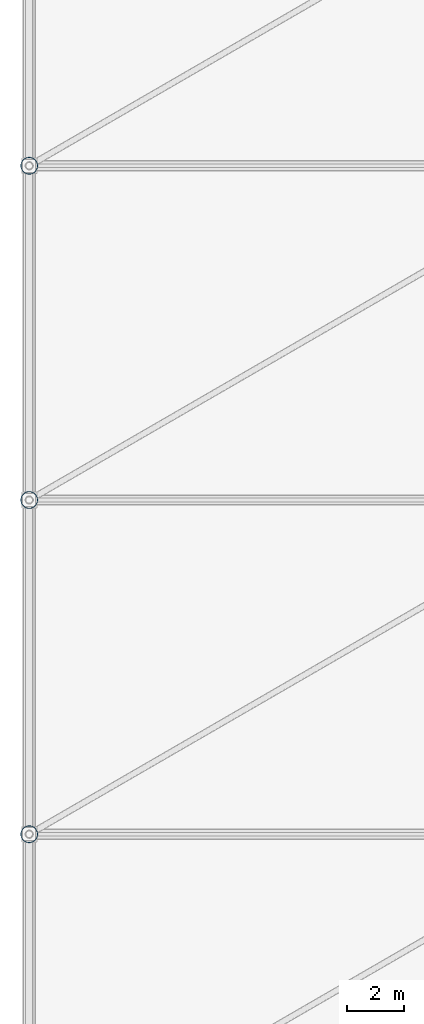
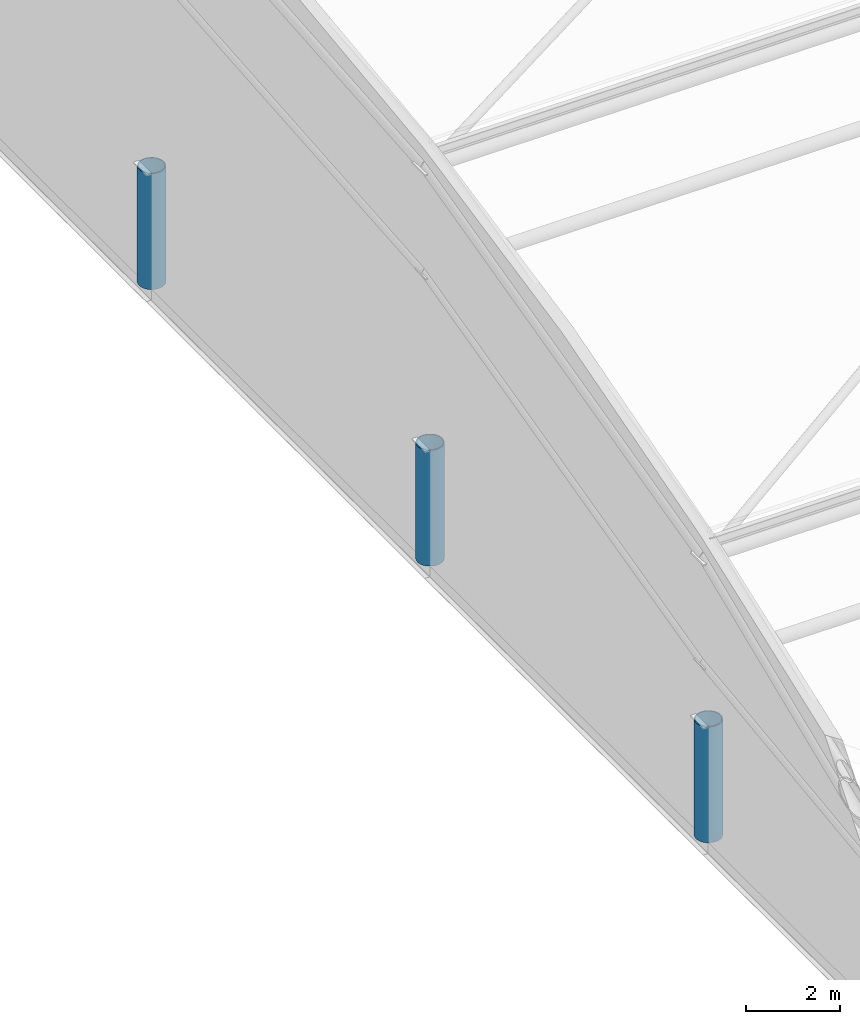
# One storey, part 3 of 135: 3 columns.
"""IFC4 building model written with IfcOpenShell, lengths in metres."""

from ifc_helpers import new_model, si_unit, direction, frame, origin, origin_2d, place, context, subcontext, project, spatial, hollow_circle, extrude, material, material_profile, profile_set, type_object, element, save


model = new_model("IFC4")

# Units and contexts
model_context = context("Model", 3, precision=1e-05, world=origin(), true_north=direction((0.0, 1.0)))
body_context = subcontext(model_context, "Body", "Model", "MODEL_VIEW")
ifc_project = project(units=[si_unit("LENGTHUNIT", "METRE"), si_unit("AREAUNIT", "SQUARE_METRE"), si_unit("VOLUMEUNIT", "CUBIC_METRE"), si_unit("PLANEANGLEUNIT", "RADIAN"), si_unit("MASSUNIT", "GRAM", prefix="KILO")], contexts=[model_context])

# Site, building, storey
site_placement = place(None, origin())
site = spatial("IfcSite", under=ifc_project, at=site_placement, CompositionType="ELEMENT")
building_placement = place(site_placement, origin())
building = spatial("IfcBuilding", under=site, at=building_placement, Name="Brelvane Convention Centre", CompositionType="ELEMENT")
storey_placement = place(building_placement, frame((0.0, 0.0, 15.0)))
storey = spatial("IfcBuildingStorey", under=building, at=storey_placement, Name="L03", CompositionType="ELEMENT", Elevation=15.0)

# Columns
ifc_material = material(Name="Steel E450 (450 MPa)", Category="steel")
ifc_material_profile = material_profile(ifc_material, hollow_circle(Radius=0.304931640625, WallThickness=0.02490234375, at=origin_2d()), Name="CHS 610.0x25.0")
ifc_profile_set = profile_set([ifc_material_profile], Name="Steel E450 (450 MPa)")
column_type = type_object("IfcColumnType", Name="Steel Column C-ST1 (CHS 610.0x25.0)", PredefinedType="COLUMN", material=ifc_profile_set)
for number, where, z_axis, x_axis, name in (
    (1, (0.0, 40.60009765625, 0.0), (0.0, 0.0, 1.0), (1.0, 0.0, 0.0), "Column 1-E (L03)"),
    (2, (0.0, 52.39990234375, 0.0), (0.0, 0.0, 1.0), (1.0, 0.0, 0.0), "Column 1-F (L03)"),
    (3, (0.0, 64.199951171875, 0.0), (0.0, 0.0, 1.0), (1.0, 0.0, 0.0), "Column 1-G (L03)"),
):
    element("IfcColumn", number, at=place(storey_placement, frame(where, z_axis=z_axis, x_axis=x_axis)), inside=storey, type_object=column_type, Name=name, PredefinedType="COLUMN", context=body_context, shape_type="SweptSolid", body=[
        extrude(hollow_circle(Radius=0.304931640625, WallThickness=0.02490234375, at=origin_2d()), origin(), (0.0, 0.0, 1.0), 3.0),
    ])

save(model, "model.ifc")
